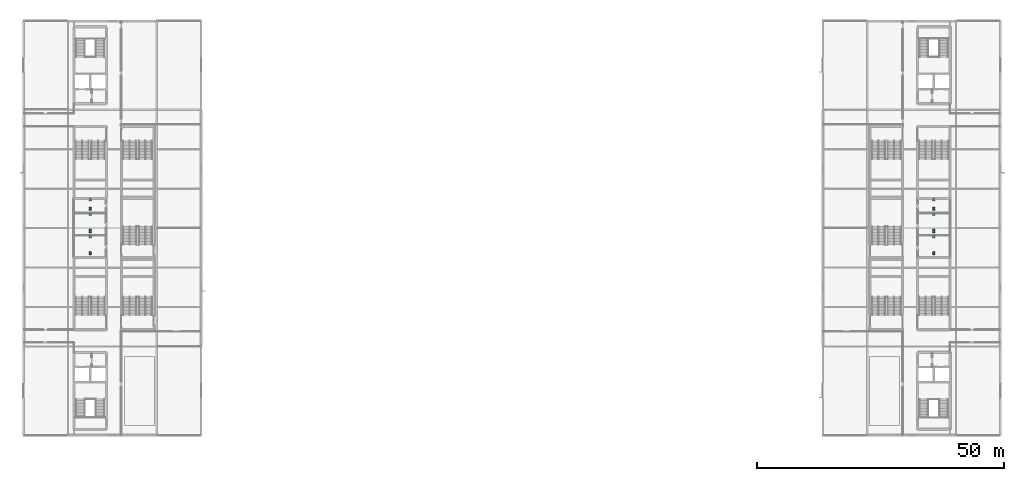
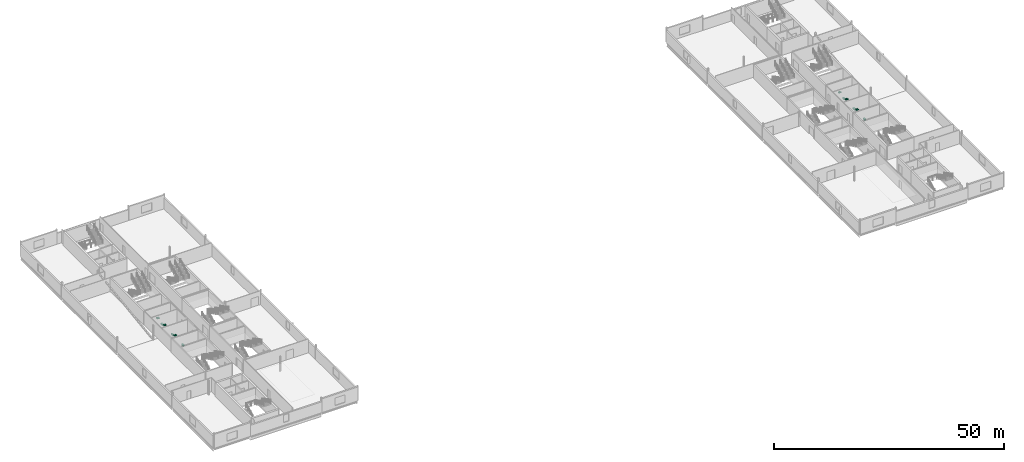
# One storey, part 35 of 35: 12 sanitary terminals.
"""IFC4 building model written with IfcOpenShell, lengths in metres."""

from ifc_helpers import new_model, si_unit, direction, frame, origin, origin_2d, place, context, subcontext, project, spatial, rectangle, extrude, material, type_object, element, save


model = new_model("IFC4")

# Units and contexts
model_context = context("Model", 3, precision=1e-05, world=origin(), true_north=direction((0.0, 1.0)))
body_context = subcontext(model_context, "Body", "Model", "MODEL_VIEW")
ifc_project = project(units=[si_unit("LENGTHUNIT", "METRE"), si_unit("AREAUNIT", "SQUARE_METRE"), si_unit("VOLUMEUNIT", "CUBIC_METRE"), si_unit("PLANEANGLEUNIT", "RADIAN"), si_unit("MASSUNIT", "GRAM", prefix="KILO")], contexts=[model_context])

# Site, building, storey
site_placement = place(None, origin())
site = spatial("IfcSite", under=ifc_project, at=site_placement, CompositionType="ELEMENT")
building_placement = place(site_placement, origin())
building = spatial("IfcBuilding", under=site, at=building_placement, Name="Kisiwana Market Hall", CompositionType="ELEMENT")
storey_placement = place(building_placement, frame((0.0, 0.0, 57.89990234375)))
storey = spatial("IfcBuildingStorey", under=building, at=storey_placement, Name="L13", CompositionType="ELEMENT", Elevation=57.89990234375)

# Sanitary terminals
ifc_material_1 = material(Name="Vitreous china")
sanitary_terminal_type_1 = type_object("IfcSanitaryTerminalType", Name="SAN-BASIN", PredefinedType="WASHHANDBASIN", material=ifc_material_1)
for number, where, z_axis, x_axis, name in (
    (1, (13.5, 58.25, 0.68017578125), (0.0, 0.0, 1.0), (1.0, 0.0, 0.0), "Washhand basin L13-0085"),
    (2, (13.5, 62.75, 0.68017578125), (0.0, 0.0, 1.0), (1.0, 0.0, 0.0), "Washhand basin L13-0086"),
    (3, (13.5, 65.75, 0.68017578125), (0.0, 0.0, 1.0), (1.0, 0.0, 0.0), "Washhand basin L13-0087"),
    (4, (184.5, 58.25, 0.68017578125), (0.0, 0.0, 1.0), (1.0, 0.0, 0.0), "Washhand basin L13-0088"),
    (5, (184.5, 62.75, 0.68017578125), (0.0, 0.0, 1.0), (1.0, 0.0, 0.0), "Washhand basin L13-0089"),
    (6, (184.5, 65.75, 0.68017578125), (0.0, 0.0, 1.0), (1.0, 0.0, 0.0), "Washhand basin L13-0090"),
):
    element("IfcSanitaryTerminal", number, at=place(storey_placement, frame(where, z_axis=z_axis, x_axis=x_axis)), inside=storey, type_object=sanitary_terminal_type_1, Name=name, PredefinedType="WASHHANDBASIN", context=body_context, shape_type="SweptSolid", body=[
        extrude(rectangle(XDim=0.550048828125, YDim=0.449951171875, at=origin_2d()), origin(), (0.0, 0.0, 1.0), 0.199951171875),
    ])
ifc_material_2 = material(Name="Vitreous china")
sanitary_terminal_type_2 = type_object("IfcSanitaryTerminalType", Name="SAN-WC-PAN", PredefinedType="TOILETPAN", material=ifc_material_2)
for number, where, z_axis, x_axis, name in (
    (7, (13.5, 54.89990234375, 0.000244140625), (0.0, 0.0, 1.0), (1.0, 0.0, 0.0), "WC pan L13-0085"),
    (8, (13.5, 59.39990234375, 0.000244140625), (0.0, 0.0, 1.0), (1.0, 0.0, 0.0), "WC pan L13-0086"),
    (9, (13.5, 63.89990234375, 0.000244140625), (0.0, 0.0, 1.0), (1.0, 0.0, 0.0), "WC pan L13-0087"),
    (10, (184.5, 54.89990234375, 0.000244140625), (0.0, 0.0, 1.0), (1.0, 0.0, 0.0), "WC pan L13-0088"),
    (11, (184.5, 59.39990234375, 0.000244140625), (0.0, 0.0, 1.0), (1.0, 0.0, 0.0), "WC pan L13-0089"),
    (12, (184.5, 63.89990234375, 0.000244140625), (0.0, 0.0, 1.0), (1.0, 0.0, 0.0), "WC pan L13-0090"),
):
    element("IfcSanitaryTerminal", number, at=place(storey_placement, frame(where, z_axis=z_axis, x_axis=x_axis)), inside=storey, type_object=sanitary_terminal_type_2, Name=name, PredefinedType="TOILETPAN", context=body_context, shape_type="SweptSolid", body=[
        extrude(rectangle(XDim=0.39990234375, YDim=0.64990234375, at=origin_2d()), origin(), (0.0, 0.0, 1.0), 0.419921875),
    ])

save(model, "model.ifc")
